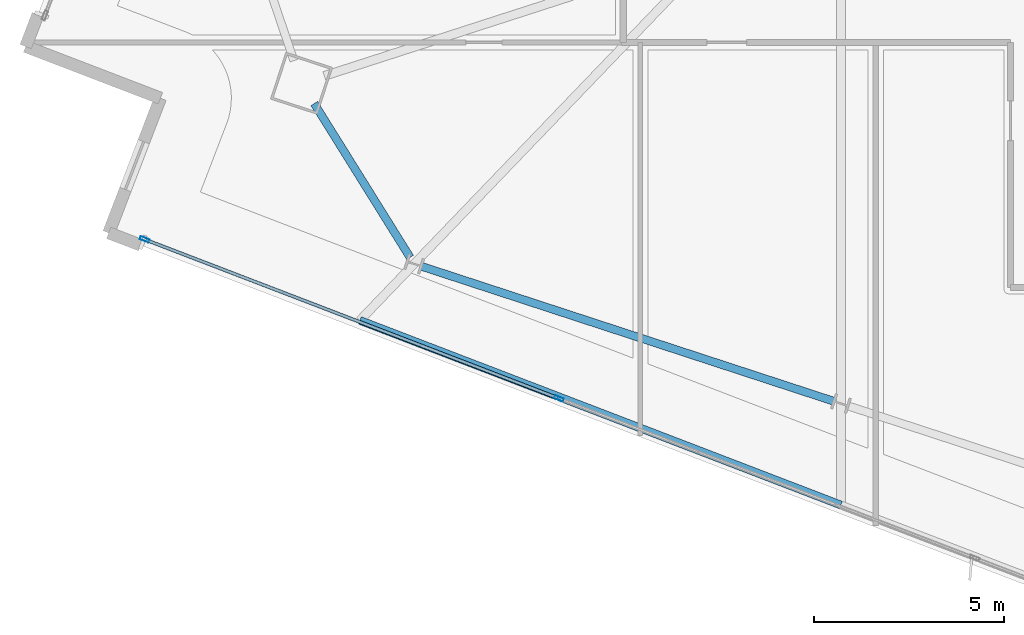
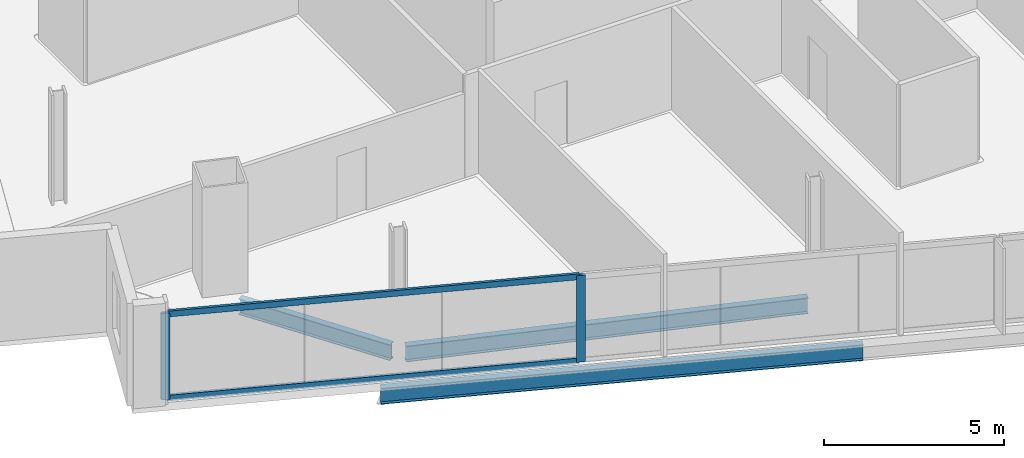
# One storey, part 2 of 27: 4 members, 3 beams, 1 element without a shape of its own.
"""IFC4 building model written with IfcOpenShell, lengths in metres."""

from ifc_helpers import new_model, si_unit, direction, frame, origin, origin_2d, place, context, subcontext, project, spatial, hollow_rectangle, i_section, extrude, material, material_profile, profile_set, type_object, element, aggregate, save


model = new_model("IFC4")

# Units and contexts
model_context = context("Model", 3, precision=1e-05, world=origin(), true_north=direction((0.0, 1.0)))
body_context = subcontext(model_context, "Body", "Model", "MODEL_VIEW")
ifc_project = project(units=[si_unit("LENGTHUNIT", "METRE"), si_unit("AREAUNIT", "SQUARE_METRE"), si_unit("VOLUMEUNIT", "CUBIC_METRE"), si_unit("PLANEANGLEUNIT", "RADIAN"), si_unit("MASSUNIT", "GRAM", prefix="KILO")], contexts=[model_context])

# Site, building, storey
site_placement = place(None, origin())
site = spatial("IfcSite", under=ifc_project, at=site_placement, CompositionType="ELEMENT")
building_placement = place(site_placement, origin())
building = spatial("IfcBuilding", under=site, at=building_placement, Name="Haldenkirk Collegiate Tower", CompositionType="ELEMENT")
storey_placement = place(building_placement, frame((0.0, 0.0, 259.949951171875)))
storey = spatial("IfcBuildingStorey", under=building, at=storey_placement, Name="L65", CompositionType="ELEMENT", Elevation=259.949951171875)

# Beams
ifc_material_1 = material(Name="Steel ASTM A992 Grade 50", Category="steel")
ifc_material_profile_1 = material_profile(ifc_material_1, i_section(OverallWidth=0.2099609375, OverallDepth=0.537109375, WebThickness=0.010986328125, FlangeThickness=0.017333984375, at=origin_2d()), Name="W21X68")
ifc_profile_set_1 = profile_set([ifc_material_profile_1], Name="Steel ASTM A992 Grade 50")
beam_type = type_object("IfcBeamType", Name="BM-SPANDREL-W21X68", PredefinedType="SPANDREL", material=ifc_profile_set_1)
beam_1_placement = place(storey_placement, frame((16.41064453125, 13.939697265625, -0.538330078125), z_axis=(0.528899826427, -0.848684260255, 0.0), x_axis=(0.848684260255, 0.528899826427, 0.0)))
element("IfcBeam", 1, at=beam_1_placement, inside=storey, type_object=beam_type, Name="L65 perimeter spandrel beam 13", PredefinedType="SPANDREL", context=body_context, shape_type="SweptSolid", body=[
    extrude(i_section(OverallWidth=0.2099609375, OverallDepth=0.537109375, WebThickness=0.010986328125, FlangeThickness=0.017333984375, at=origin_2d()), origin(), (0.0, 0.0, 1.0), 4.77392578125),
])
beam_2_placement = place(storey_placement, frame((19.235107421875, 9.6533203125, -0.538330078125), z_axis=(0.950408846531, -0.311003254701, 0.0), x_axis=(0.311003254701, 0.950408846531, 0.0)))
element("IfcBeam", 2, at=beam_2_placement, inside=storey, type_object=beam_type, Name="L65 perimeter spandrel beam 14", PredefinedType="SPANDREL", context=body_context, shape_type="SweptSolid", body=[
    extrude(i_section(OverallWidth=0.2099609375, OverallDepth=0.537109375, WebThickness=0.010986328125, FlangeThickness=0.017333984375, at=origin_2d()), origin(), (0.0, 0.0, 1.0), 11.421875),
])
beam_3_placement = place(storey_placement, frame((17.61376953125, 8.228759765625, -0.538330078125), z_axis=(0.933581872432, -0.358364182735, 0.0), x_axis=(0.358364182735, 0.933581872432, 0.0)))
element("IfcBeam", 3, at=beam_3_placement, inside=storey, type_object=beam_type, Name="L65 outer facade edge beam 4A", PredefinedType="SPANDREL", context=body_context, shape_type="SweptSolid", body=[
    extrude(i_section(OverallWidth=0.2099609375, OverallDepth=0.537109375, WebThickness=0.010986328125, FlangeThickness=0.017333984375, at=origin_2d()), origin(), (0.0, 0.0, 1.0), 13.57080078125),
])

# Curtain wall, members
ifc_material_2 = material(Name="Anodised architectural bronze aluminium", Category="aluminium")
curtain_wall_type = type_object("IfcCurtainWallType", Name="CW-SYS1B-CONVEX-HI", PredefinedType="USERDEFINED", material=ifc_material_2)
curtain_wall_placement = place(storey_placement, origin())
curtain_wall = element("IfcCurtainWall", 4, at=curtain_wall_placement, inside=storey, type_object=curtain_wall_type, Name="L65 Upper tower high-wind convex bronze unitised curtain wall", ObjectType="UNITISED CURTAIN WALL", PredefinedType="USERDEFINED")
ifc_material_profile_2 = material_profile(ifc_material_2, hollow_rectangle(XDim=0.0849609375, YDim=0.25, WallThickness=0.0048828125, at=origin_2d()), Name="CW-MUL-1B")
ifc_profile_set_2 = profile_set([ifc_material_profile_2], Name="Anodised architectural bronze aluminium")
member_type_1 = type_object("IfcMemberType", Name="CW-MUL-1B", PredefinedType="MULLION", material=ifc_profile_set_2)
member_1_placement = place(storey_placement, frame((22.855224609375, 6.173828125, 0.0), z_axis=(0.0, 0.0, 1.0), x_axis=(-0.358369437176, -0.933579855448, 0.0)))
member_1 = element("IfcMember", 5, at=member_1_placement, type_object=member_type_1, Name="CW-1B mullion 3", PredefinedType="MULLION", context=body_context, shape_type="SweptSolid", body=[
    extrude(hollow_rectangle(XDim=0.0849609375, YDim=0.25, WallThickness=0.0048828125, at=origin_2d()), origin(), (0.0, 0.0, 1.0), 2.93798828125),
])
member_2_placement = place(storey_placement, frame((11.94091796875, 10.363525390625, 0.0), z_axis=(0.0, 0.0, 1.0), x_axis=(-0.358369437176, -0.933579855448, 0.0)))
member_2 = element("IfcMember", 6, at=member_2_placement, type_object=member_type_1, Name="CW-1B mullion 4", PredefinedType="MULLION", context=body_context, shape_type="SweptSolid", body=[
    extrude(hollow_rectangle(XDim=0.0849609375, YDim=0.25, WallThickness=0.0048828125, at=origin_2d()), origin(), (0.0, 0.0, 1.0), 2.93798828125),
])
ifc_material_profile_3 = material_profile(ifc_material_2, hollow_rectangle(XDim=0.0849609375, YDim=0.199951171875, WallThickness=0.0048828125, at=origin_2d()), Name="CW-TRN-1B")
ifc_profile_set_3 = profile_set([ifc_material_profile_3], Name="Anodised architectural bronze aluminium")
member_type_2 = type_object("IfcMemberType", Name="CW-TRN-1B", PredefinedType="USERDEFINED", material=ifc_profile_set_3)
member_3_placement = place(storey_placement, frame((22.8154296875, 6.18896484375, 0.04248046875), z_axis=(-0.93357962329, 0.358370041964, 0.0), x_axis=(-0.358370041964, -0.93357962329, 0.0)))
member_3 = element("IfcMember", 7, at=member_3_placement, type_object=member_type_2, Name="CW-1B transom 3.1", ObjectType="TRANSOM", PredefinedType="USERDEFINED", context=body_context, shape_type="SweptSolid", body=[
    extrude(hollow_rectangle(XDim=0.0849609375, YDim=0.199951171875, WallThickness=0.0048828125, at=origin_2d()), origin(), (0.0, 0.0, 1.0), 11.605712890625),
])
member_4_placement = place(storey_placement, frame((22.8154296875, 6.18896484375, 2.8955078125), z_axis=(-0.93357962329, 0.358370041964, 0.0), x_axis=(-0.358370041964, -0.93357962329, 0.0)))
member_4 = element("IfcMember", 8, at=member_4_placement, type_object=member_type_2, Name="CW-1B transom 3.2", ObjectType="TRANSOM", PredefinedType="USERDEFINED", context=body_context, shape_type="SweptSolid", body=[
    extrude(hollow_rectangle(XDim=0.0849609375, YDim=0.199951171875, WallThickness=0.0048828125, at=origin_2d()), origin(), (0.0, 0.0, 1.0), 11.605712890625),
])
aggregate(curtain_wall, [member_1, member_2, member_3, member_4])

save(model, "model.ifc")
